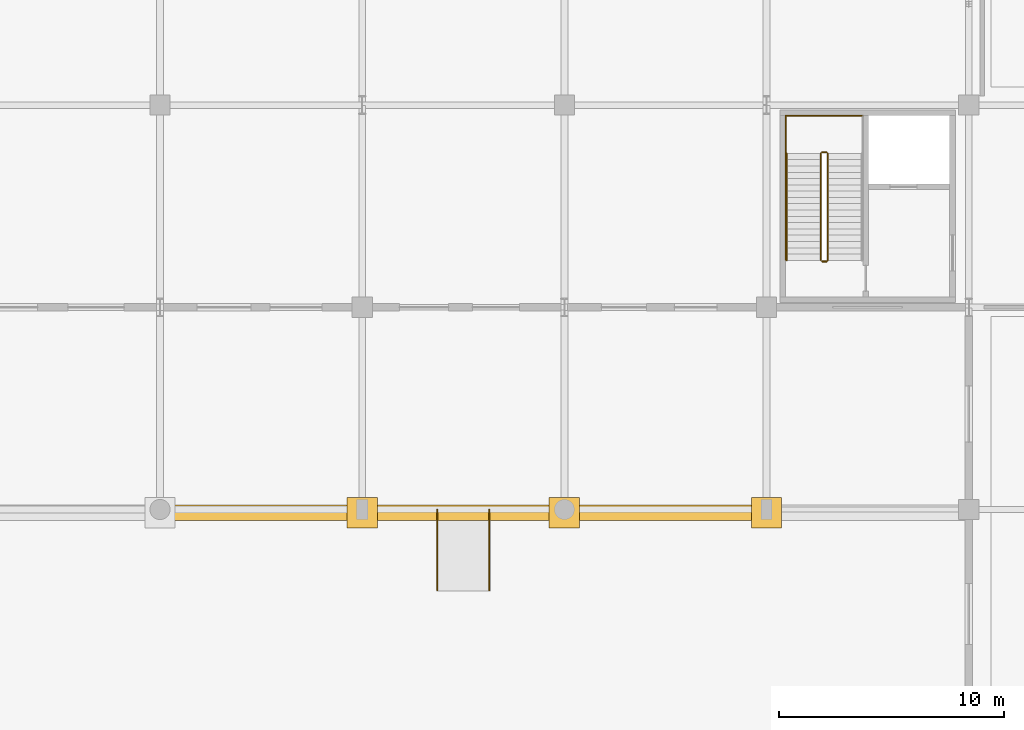
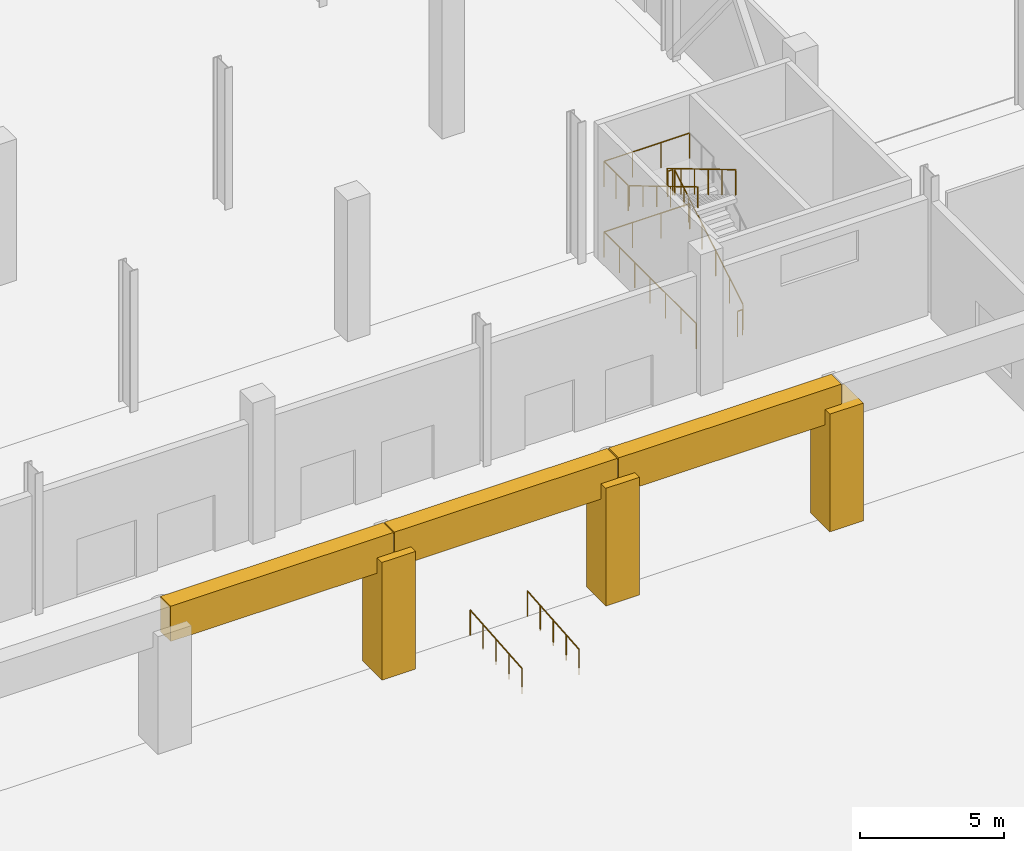
# One storey, part 45 of 58: 11 railings, 6 coverings.
"""IFC4 building model written with IfcOpenShell, lengths in metres."""

from ifc_helpers import new_model, si_unit, direction, frame, origin, origin_2d, place, context, subcontext, project, spatial, rectangle, circle, extrude, material, layer, layer_set, type_object, element, save


model = new_model("IFC4")

# Units and contexts
model_context = context("Model", 3, precision=1e-05, world=origin(), true_north=direction((0.0, 1.0)))
body_context = subcontext(model_context, "Body", "Model", "MODEL_VIEW")
ifc_project = project(units=[si_unit("LENGTHUNIT", "METRE"), si_unit("AREAUNIT", "SQUARE_METRE"), si_unit("VOLUMEUNIT", "CUBIC_METRE"), si_unit("PLANEANGLEUNIT", "RADIAN"), si_unit("MASSUNIT", "GRAM", prefix="KILO")], contexts=[model_context])

# Site, building, storey
site_placement = place(None, origin())
site = spatial("IfcSite", under=ifc_project, at=site_placement, CompositionType="ELEMENT")
building_placement = place(site_placement, origin())
building = spatial("IfcBuilding", under=site, at=building_placement, Name="Barlavento Convention Centre", CompositionType="ELEMENT")
storey_placement = place(building_placement, origin())
storey = spatial("IfcBuildingStorey", under=building, at=storey_placement, Name="L00", CompositionType="ELEMENT", Elevation=0.0)

# Coverings
ifc_material_1 = material(Name="Macau dark grey granite cladding", Category="masonry")
ifc_layer = layer(ifc_material_1, 0.050048828125)
ifc_layer_set = layer_set([ifc_layer], Name="ARC-COV-CLAD-GRANITE")
covering_type = type_object("IfcCoveringType", Name="ARC-COV-CLAD-GRANITE", PredefinedType="CLADDING", material=ifc_layer_set)
for number, where, z_axis, x_axis, name in (
    (1, (94.5, 35.85009765625, 4.35009765625), (0.0, 0.0, 1.0), (1.0, 0.0, 0.0), "Postmodern portal colonnade entablature CLD01"),
    (2, (103.5, 35.85009765625, 4.35009765625), (0.0, 0.0, 1.0), (1.0, 0.0, 0.0), "Postmodern portal colonnade entablature CLD01"),
):
    element("IfcCovering", number, at=place(storey_placement, frame(where, z_axis=z_axis, x_axis=x_axis)), inside=storey, type_object=covering_type, Name=name, PredefinedType="CLADDING", context=body_context, shape_type="SweptSolid", body=[
        extrude(rectangle(XDim=8.949951171875, YDim=0.699951171875, at=origin_2d()), origin(), (0.0, 0.0, 1.0), 1.5),
    ])
covering_1_placement = place(storey_placement, frame((99.0, 35.85009765625, 0.0), z_axis=(0.0, 0.0, 1.0), x_axis=(1.0, 0.0, 0.0)))
element("IfcCovering", 3, at=covering_1_placement, inside=storey, type_object=covering_type, Name="Postmodern stepped stone portal pier CLD01", PredefinedType="CLADDING", context=body_context, shape_type="SweptSolid", body=[
    extrude(rectangle(XDim=1.35009765625, YDim=1.35009765625, at=origin_2d()), origin(), (0.0, 0.0, 1.0), 5.0),
])
covering_2_placement = place(storey_placement, frame((112.5, 35.85009765625, 4.35009765625), z_axis=(0.0, 0.0, 1.0), x_axis=(1.0, 0.0, 0.0)))
element("IfcCovering", 4, at=covering_2_placement, inside=storey, type_object=covering_type, Name="Postmodern portal colonnade entablature CLD01", PredefinedType="CLADDING", context=body_context, shape_type="SweptSolid", body=[
    extrude(rectangle(XDim=8.949951171875, YDim=0.699951171875, at=origin_2d()), origin(), (0.0, 0.0, 1.0), 1.5),
])
for number, where, z_axis, x_axis, name in (
    (5, (108.0, 35.85009765625, 0.0), (0.0, 0.0, 1.0), (1.0, 0.0, 0.0), "Postmodern stepped stone portal pier CLD01"),
    (6, (117.0, 35.85009765625, 0.0), (0.0, 0.0, 1.0), (1.0, 0.0, 0.0), "Postmodern stepped stone portal pier CLD01"),
):
    element("IfcCovering", number, at=place(storey_placement, frame(where, z_axis=z_axis, x_axis=x_axis)), inside=storey, type_object=covering_type, Name=name, PredefinedType="CLADDING", context=body_context, shape_type="SweptSolid", body=[
        extrude(rectangle(XDim=1.35009765625, YDim=1.35009765625, at=origin_2d()), origin(), (0.0, 0.0, 1.0), 5.0),
    ])

# Railings
ifc_material_2 = material(Name="Stainless steel and laminated glass balustrade", Category="steel")
railing_type_1 = type_object("IfcRailingType", Name="ARC-RAL-BAL-1100", PredefinedType="BALUSTRADE", material=ifc_material_2)
railing_1_placement = place(storey_placement, frame((119.719970703125, 47.090087890625, 0.166748046875)))
element("IfcRailing", 7, at=railing_1_placement, inside=storey, type_object=railing_type_1, Name="L00 ST04 stair guard 1", PredefinedType="BALUSTRADE", context=body_context, shape_type="SweptSolid", body=[
    extrude(circle(Radius=0.02392578125, at=origin_2d()), frame((0.0, 0.0, 1.076171875), z_axis=(0.0, 0.859299802514, 0.511472237174), x_axis=(-1.0, 0.0, 0.0)), (0.0, 0.0, 1.0), 5.539306640625),
    extrude(circle(Radius=0.02099609375, at=origin_2d()), origin(), (0.0, 0.0, 1.0), 1.052001953125),
    extrude(circle(Radius=0.02099609375, at=origin_2d()), frame((0.0, 0.951904296875, 0.566650390625)), (0.0, 0.0, 1.0), 1.052001953125),
    extrude(circle(Radius=0.02099609375, at=origin_2d()), frame((0.0, 1.904052734375, 1.13330078125)), (0.0, 0.0, 1.0), 1.052001953125),
    extrude(circle(Radius=0.02099609375, at=origin_2d()), frame((0.0, 2.85595703125, 1.699951171875)), (0.0, 0.0, 1.0), 1.052001953125),
    extrude(circle(Radius=0.02099609375, at=origin_2d()), frame((0.0, 3.80810546875, 2.2666015625)), (0.0, 0.0, 1.0), 1.052001953125),
    extrude(circle(Radius=0.02099609375, at=origin_2d()), frame((0.0, 4.760009765625, 2.833251953125)), (0.0, 0.0, 1.0), 1.052001953125),
])
railing_2_placement = place(storey_placement, frame((119.669921875, 51.89990234375, 3.0)))
element("IfcRailing", 8, at=railing_2_placement, inside=storey, type_object=railing_type_1, Name="L00 ST04 stair guard 2", PredefinedType="BALUSTRADE", context=body_context, shape_type="SweptSolid", body=[
    extrude(circle(Radius=0.02392578125, at=origin_2d()), frame((0.0, 0.0, 1.076171875), z_axis=(-1.0, 0.0, 0.0), x_axis=(0.0, -1.0, 0.0)), (0.0, 0.0, 1.0), 0.199951171875),
    extrude(circle(Radius=0.02099609375, at=origin_2d()), origin(), (0.0, 0.0, 1.0), 1.052001953125),
    extrude(circle(Radius=0.02099609375, at=origin_2d()), frame((-0.199951171875, 0.0, 0.0)), (0.0, 0.0, 1.0), 1.052001953125),
])
railing_3_placement = place(storey_placement, frame((119.419921875, 51.85009765625, 3.166748046875)))
element("IfcRailing", 9, at=railing_3_placement, inside=storey, type_object=railing_type_1, Name="L00 ST04 stair guard 3", PredefinedType="BALUSTRADE", context=body_context, shape_type="SweptSolid", body=[
    extrude(circle(Radius=0.02392578125, at=origin_2d()), frame((0.0, 0.0, 1.076171875), z_axis=(0.0, -0.859299802514, 0.511472237174), x_axis=(1.0, 0.0, 0.0)), (0.0, 0.0, 1.0), 5.539306640625),
    extrude(circle(Radius=0.02099609375, at=origin_2d()), origin(), (0.0, 0.0, 1.0), 1.052001953125),
    extrude(circle(Radius=0.02099609375, at=origin_2d()), frame((0.0, -0.951904296875, 0.566650390625)), (0.0, 0.0, 1.0), 1.052001953125),
    extrude(circle(Radius=0.02099609375, at=origin_2d()), frame((0.0, -1.904052734375, 1.13330078125)), (0.0, 0.0, 1.0), 1.052001953125),
    extrude(circle(Radius=0.02099609375, at=origin_2d()), frame((0.0, -2.85595703125, 1.699951171875)), (0.0, 0.0, 1.0), 1.052001953125),
    extrude(circle(Radius=0.02099609375, at=origin_2d()), frame((0.0, -3.80810546875, 2.2666015625)), (0.0, 0.0, 1.0), 1.052001953125),
    extrude(circle(Radius=0.02099609375, at=origin_2d()), frame((0.0, -4.760009765625, 2.833251953125)), (0.0, 0.0, 1.0), 1.052001953125),
])
railing_4_placement = place(storey_placement, frame((119.669921875, 47.0400390625, 0.0)))
element("IfcRailing", 10, at=railing_4_placement, inside=storey, type_object=railing_type_1, Name="L00 ST04 stair guard 4", PredefinedType="BALUSTRADE", context=body_context, shape_type="SweptSolid", body=[
    extrude(circle(Radius=0.02392578125, at=origin_2d()), frame((0.0, 0.0, 1.076171875), z_axis=(-1.0, 0.0, 0.0), x_axis=(0.0, -1.0, 0.0)), (0.0, 0.0, 1.0), 0.199951171875),
    extrude(circle(Radius=0.02099609375, at=origin_2d()), origin(), (0.0, 0.0, 1.0), 1.052001953125),
    extrude(circle(Radius=0.02099609375, at=origin_2d()), frame((-0.199951171875, 0.0, 0.0)), (0.0, 0.0, 1.0), 1.052001953125),
])
railing_5_placement = place(storey_placement, frame((117.85009765625, 51.85009765625, 3.0)))
element("IfcRailing", 11, at=railing_5_placement, inside=storey, type_object=railing_type_1, Name="L00 landing guard GR01", PredefinedType="BALUSTRADE", context=body_context, shape_type="SweptSolid", body=[
    extrude(circle(Radius=0.02392578125, at=origin_2d()), frame((0.0, 0.0, 1.076171875), z_axis=(0.0, 1.0, 0.0), x_axis=(-1.0, 0.0, 0.0)), (0.0, 0.0, 1.0), 1.679931640625),
    extrude(circle(Radius=0.02099609375, at=origin_2d()), origin(), (0.0, 0.0, 1.0), 1.052001953125),
    extrude(circle(Radius=0.02099609375, at=origin_2d()), frame((0.0, 0.83984375, 0.0)), (0.0, 0.0, 1.0), 1.052001953125),
    extrude(circle(Radius=0.02099609375, at=origin_2d()), frame((0.0, 1.679931640625, 0.0)), (0.0, 0.0, 1.0), 1.052001953125),
])
for number, where, name in (
    (12, (121.2900390625, 53.530029296875, 3.0), "L00 landing guard GR01"),
    (13, (121.2900390625, 53.530029296875, 0.0), "L00 stairwell perimeter guard GR01"),
):
    element("IfcRailing", number, at=place(storey_placement, frame(where)), inside=storey, type_object=railing_type_1, Name=name, PredefinedType="BALUSTRADE", context=body_context, shape_type="SweptSolid", body=[
        extrude(circle(Radius=0.02392578125, at=origin_2d()), frame((0.0, 0.0, 1.076171875), z_axis=(-1.0, 0.0, 0.0), x_axis=(0.0, -1.0, 0.0)), (0.0, 0.0, 1.0), 3.43994140625),
        extrude(circle(Radius=0.02099609375, at=origin_2d()), origin(), (0.0, 0.0, 1.0), 1.052001953125),
        extrude(circle(Radius=0.02099609375, at=origin_2d()), frame((-1.146728515625, 0.0, 0.0)), (0.0, 0.0, 1.0), 1.052001953125),
        extrude(circle(Radius=0.02099609375, at=origin_2d()), frame((-2.293212890625, 0.0, 0.0)), (0.0, 0.0, 1.0), 1.052001953125),
        extrude(circle(Radius=0.02099609375, at=origin_2d()), frame((-3.43994140625, 0.0, 0.0)), (0.0, 0.0, 1.0), 1.052001953125),
    ])
railing_6_placement = place(storey_placement, frame((117.85009765625, 53.530029296875, 0.0)))
element("IfcRailing", 14, at=railing_6_placement, inside=storey, type_object=railing_type_1, Name="L00 stairwell perimeter guard GR01", PredefinedType="BALUSTRADE", context=body_context, shape_type="SweptSolid", body=[
    extrude(circle(Radius=0.02392578125, at=origin_2d()), frame((0.0, 0.0, 1.076171875), z_axis=(0.0, -1.0, 0.0), x_axis=(1.0, 0.0, 0.0)), (0.0, 0.0, 1.0), 6.4150390625),
    extrude(circle(Radius=0.02099609375, at=origin_2d()), origin(), (0.0, 0.0, 1.0), 1.052001953125),
    extrude(circle(Radius=0.02099609375, at=origin_2d()), frame((0.0, -1.069091796875, 0.0)), (0.0, 0.0, 1.0), 1.052001953125),
    extrude(circle(Radius=0.02099609375, at=origin_2d()), frame((0.0, -2.138427734375, 0.0)), (0.0, 0.0, 1.0), 1.052001953125),
    extrude(circle(Radius=0.02099609375, at=origin_2d()), frame((0.0, -3.20751953125, 0.0)), (0.0, 0.0, 1.0), 1.052001953125),
    extrude(circle(Radius=0.02099609375, at=origin_2d()), frame((0.0, -4.276611328125, 0.0)), (0.0, 0.0, 1.0), 1.052001953125),
    extrude(circle(Radius=0.02099609375, at=origin_2d()), frame((0.0, -5.345947265625, 0.0)), (0.0, 0.0, 1.0), 1.052001953125),
    extrude(circle(Radius=0.02099609375, at=origin_2d()), frame((0.0, -6.4150390625, 0.0)), (0.0, 0.0, 1.0), 1.052001953125),
])
ifc_material_3 = material(Name="Brushed stainless steel tubular handrail", Category="steel")
railing_type_2 = type_object("IfcRailingType", Name="ARC-RAL-HR-900", PredefinedType="HANDRAIL", material=ifc_material_3)
railing_7_placement = place(storey_placement, frame((117.89990234375, 51.85009765625, 3.166748046875)))
element("IfcRailing", 15, at=railing_7_placement, inside=storey, type_object=railing_type_2, Name="L00 ST04 stair handrail 2", PredefinedType="HANDRAIL", context=body_context, shape_type="SweptSolid", body=[
    extrude(circle(Radius=0.02392578125, at=origin_2d()), frame((0.0, 0.0, 0.8759765625), z_axis=(0.0, -0.859299802514, 0.511472237174), x_axis=(1.0, 0.0, 0.0)), (0.0, 0.0, 1.0), 5.539306640625),
    extrude(circle(Radius=0.02099609375, at=origin_2d()), origin(), (0.0, 0.0, 1.0), 0.851806640625),
    extrude(circle(Radius=0.02099609375, at=origin_2d()), frame((0.0, -0.951904296875, 0.566650390625)), (0.0, 0.0, 1.0), 0.851806640625),
    extrude(circle(Radius=0.02099609375, at=origin_2d()), frame((0.0, -1.904052734375, 1.13330078125)), (0.0, 0.0, 1.0), 0.851806640625),
    extrude(circle(Radius=0.02099609375, at=origin_2d()), frame((0.0, -2.85595703125, 1.699951171875)), (0.0, 0.0, 1.0), 0.851806640625),
    extrude(circle(Radius=0.02099609375, at=origin_2d()), frame((0.0, -3.80810546875, 2.2666015625)), (0.0, 0.0, 1.0), 0.851806640625),
    extrude(circle(Radius=0.02099609375, at=origin_2d()), frame((0.0, -4.760009765625, 2.833251953125)), (0.0, 0.0, 1.0), 0.851806640625),
])
ifc_material_4 = material(Name="Painted galvanized steel perimeter guardrail", Category="steel")
railing_type_3 = type_object("IfcRailingType", Name="ARC-RAL-PAR-1100", PredefinedType="GUARDRAIL", material=ifc_material_4)
for number, where, name in (
    (16, (102.35009765625, 32.39990234375, -0.300048828125), "Accessible approach ramp west handrail guard GR02"),
    (17, (104.64990234375, 32.39990234375, -0.300048828125), "Accessible approach ramp east handrail guard GR02"),
):
    element("IfcRailing", number, at=place(storey_placement, frame(where)), inside=storey, type_object=railing_type_3, Name=name, PredefinedType="GUARDRAIL", context=body_context, shape_type="SweptSolid", body=[
        extrude(circle(Radius=0.02392578125, at=origin_2d()), frame((0.0, 0.0, 1.076171875), z_axis=(0.0, 0.996544826035, 0.083056665618), x_axis=(-1.0, 0.0, 0.0)), (0.0, 0.0, 1.0), 3.612548828125),
        extrude(circle(Radius=0.02099609375, at=origin_2d()), origin(), (0.0, 0.0, 1.0), 1.052001953125),
        extrude(circle(Radius=0.02099609375, at=origin_2d()), frame((0.0, 0.89990234375, 0.074951171875)), (0.0, 0.0, 1.0), 1.052001953125),
        extrude(circle(Radius=0.02099609375, at=origin_2d()), frame((0.0, 1.800048828125, 0.14990234375)), (0.0, 0.0, 1.0), 1.052001953125),
        extrude(circle(Radius=0.02099609375, at=origin_2d()), frame((0.0, 2.7001953125, 0.22509765625)), (0.0, 0.0, 1.0), 1.052001953125),
        extrude(circle(Radius=0.02099609375, at=origin_2d()), frame((0.0, 3.60009765625, 0.300048828125)), (0.0, 0.0, 1.0), 1.052001953125),
    ])

save(model, "model.ifc")
